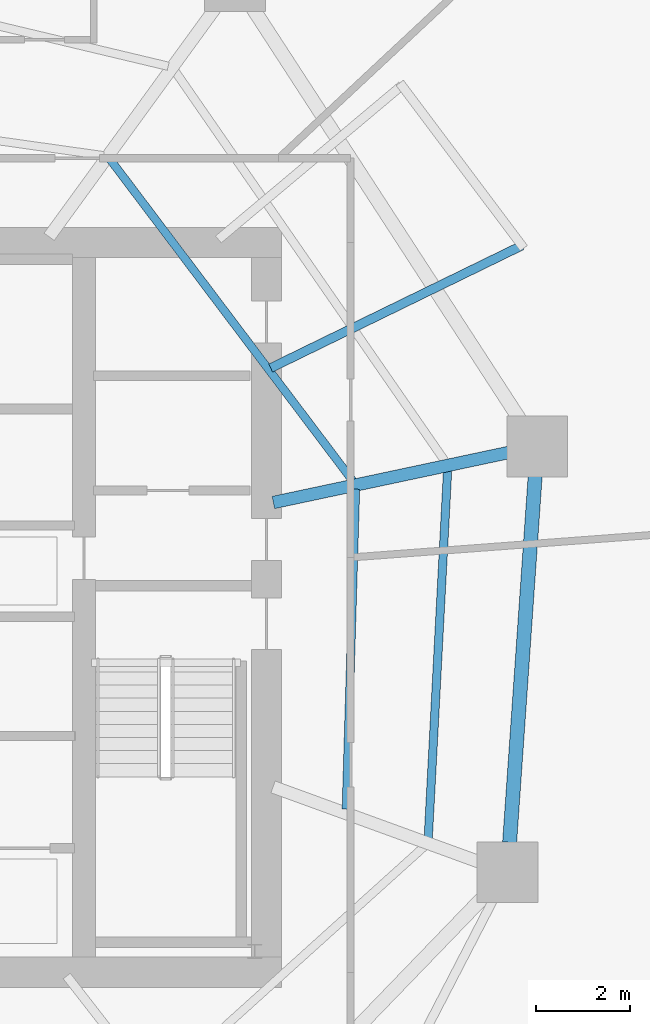
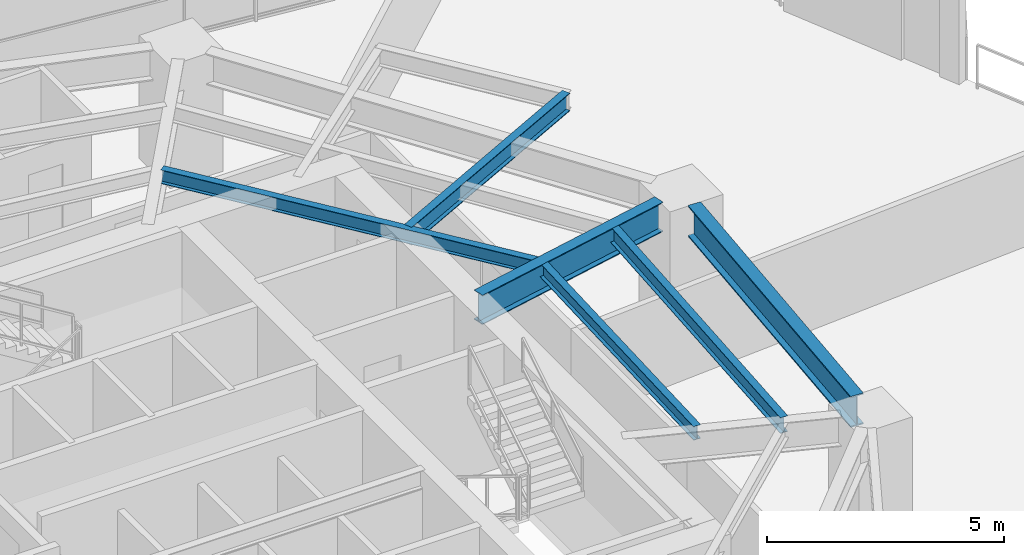
# One storey, part 12 of 28: 6 beams.
"""IFC4 building model written with IfcOpenShell, lengths in metres."""

from ifc_helpers import new_model, si_unit, direction, frame, origin, origin_2d, place, context, subcontext, project, spatial, i_section, extrude, material, material_profile, profile_set, type_object, element, save


model = new_model("IFC4")

# Units and contexts
model_context = context("Model", 3, precision=1e-05, world=origin(), true_north=direction((0.0, 1.0)))
body_context = subcontext(model_context, "Body", "Model", "MODEL_VIEW")
ifc_project = project(units=[si_unit("LENGTHUNIT", "METRE"), si_unit("AREAUNIT", "SQUARE_METRE"), si_unit("VOLUMEUNIT", "CUBIC_METRE"), si_unit("PLANEANGLEUNIT", "RADIAN"), si_unit("MASSUNIT", "GRAM", prefix="KILO")], contexts=[model_context])

# Site, building, storey
site_placement = place(None, origin())
site = spatial("IfcSite", under=ifc_project, at=site_placement, CompositionType="ELEMENT")
building_placement = place(site_placement, origin())
building = spatial("IfcBuilding", under=site, at=building_placement, Name="Qarnah Convention Tower", CompositionType="ELEMENT")
storey_placement = place(building_placement, frame((0.0, 0.0, 44.25)))
storey = spatial("IfcBuildingStorey", under=building, at=storey_placement, Name="L10", CompositionType="ELEMENT", Elevation=44.25)

# Beams
ifc_material = material(Name="Structural steel S355JR", Category="steel")
ifc_material_profile_1 = material_profile(ifc_material, i_section(OverallWidth=0.19189453125, OverallDepth=0.464111328125, WebThickness=0.010986328125, FlangeThickness=0.01806640625, at=origin_2d()), Name="W460X89")
ifc_profile_set_1 = profile_set([ifc_material_profile_1], Name="Structural steel S355JR")
beam_type_1 = type_object("IfcBeamType", Name="BM-CANT-W460A", PredefinedType="BEAM", material=ifc_profile_set_1)
beam_1_placement = place(storey_placement, frame((47.68994140625, 31.51611328125, 2.93798828125), z_axis=(0.898845814475, 0.438264990388, 0.0), x_axis=(-0.438264990388, 0.898845814475, 0.0)))
element("IfcBeam", 1, at=beam_1_placement, inside=storey, type_object=beam_type_1, Name="L10 beam BM-L10-CNT-01-1", PredefinedType="BEAM", context=body_context, shape_type="SweptSolid", body=[
    extrude(i_section(OverallWidth=0.19189453125, OverallDepth=0.464111328125, WebThickness=0.010986328125, FlangeThickness=0.01806640625, at=origin_2d()), origin(), (0.0, 0.0, 1.0), 5.973388671875),
])
ifc_material_profile_2 = material_profile(ifc_material, i_section(OverallWidth=0.172119140625, OverallDepth=0.35595703125, WebThickness=0.007080078125, FlangeThickness=0.011962890625, at=origin_2d()), Name="W360X51")
ifc_profile_set_2 = profile_set([ifc_material_profile_2], Name="Structural steel S355JR")
beam_type_2 = type_object("IfcBeamType", Name="BM-JST-W360", PredefinedType="JOIST", material=ifc_profile_set_2)
beam_2_placement = place(storey_placement, frame((49.4560546875, 29.089111328125, 2.991943359375), z_axis=(-0.602443320638, 0.798161666217, 0.0), x_axis=(-0.798161666217, -0.602443320638, 0.0)))
element("IfcBeam", 2, at=beam_2_placement, inside=storey, type_object=beam_type_2, Name="L10 joist BM-L10-IJST-01", PredefinedType="JOIST", context=body_context, shape_type="SweptSolid", body=[
    extrude(i_section(OverallWidth=0.172119140625, OverallDepth=0.35595703125, WebThickness=0.007080078125, FlangeThickness=0.011962890625, at=origin_2d()), origin(), (0.0, 0.0, 1.0), 8.623291015625),
])
beam_3_placement = place(storey_placement, frame((49.302978515625, 22.0859375, 2.991943359375), z_axis=(0.029821497478, 0.999555240238, 0.0), x_axis=(-0.999555240238, 0.029821497478, 0.0)))
element("IfcBeam", 3, at=beam_3_placement, inside=storey, type_object=beam_type_2, Name="L10 joist BM-L10-IJST-09", PredefinedType="JOIST", context=body_context, shape_type="SweptSolid", body=[
    extrude(i_section(OverallWidth=0.172119140625, OverallDepth=0.35595703125, WebThickness=0.007080078125, FlangeThickness=0.011962890625, at=origin_2d()), origin(), (0.0, 0.0, 1.0), 6.843994140625),
])
ifc_material_profile_3 = material_profile(ifc_material, i_section(OverallWidth=0.177978515625, OverallDepth=0.407958984375, WebThickness=0.008056640625, FlangeThickness=0.012939453125, at=origin_2d()), Name="W410X60")
ifc_profile_set_3 = profile_set([ifc_material_profile_3], Name="Structural steel S355JR")
beam_type_3 = type_object("IfcBeamType", Name="BM-JST-W410", PredefinedType="JOIST", material=ifc_profile_set_3)
beam_4_placement = place(storey_placement, frame((51.056884765625, 21.448974609375, 2.966064453125), z_axis=(0.052613933491, 0.998614927789, 0.0), x_axis=(-0.998614927789, 0.052613933491, 0.0)))
element("IfcBeam", 4, at=beam_4_placement, inside=storey, type_object=beam_type_3, Name="L10 joist BM-L10-SJST-09", PredefinedType="JOIST", context=body_context, shape_type="SweptSolid", body=[
    extrude(i_section(OverallWidth=0.177978515625, OverallDepth=0.407958984375, WebThickness=0.008056640625, FlangeThickness=0.012939453125, at=origin_2d()), origin(), (0.0, 0.0, 1.0), 7.906982421875),
])
ifc_material_profile_4 = material_profile(ifc_material, i_section(OverallWidth=0.26806640625, OverallDepth=0.760009765625, WebThickness=0.014892578125, FlangeThickness=0.02197265625, at=origin_2d()), Name="W760X185")
ifc_profile_set_4 = profile_set([ifc_material_profile_4], Name="Structural steel S355JR")
beam_type_4 = type_object("IfcBeamType", Name="BM-RAD-W760", PredefinedType="BEAM", material=ifc_profile_set_4)
beam_5_placement = place(storey_placement, frame((47.7470703125, 28.64208984375, 2.7900390625), z_axis=(0.978155710431, 0.207873534031, 0.0), x_axis=(-0.207873534031, 0.978155710431, 0.0)))
element("IfcBeam", 5, at=beam_5_placement, inside=storey, type_object=beam_type_4, Name="L10 beam BM-L10-RAD-01", PredefinedType="BEAM", context=body_context, shape_type="SweptSolid", body=[
    extrude(i_section(OverallWidth=0.26806640625, OverallDepth=0.760009765625, WebThickness=0.014892578125, FlangeThickness=0.02197265625, at=origin_2d()), origin(), (0.0, 0.0, 1.0), 5.13720703125),
])
ifc_material_profile_5 = material_profile(ifc_material, i_section(OverallWidth=0.300048828125, OverallDepth=0.800048828125, WebThickness=0.01806640625, FlangeThickness=0.032958984375, at=origin_2d()), Name="HEB800")
ifc_profile_set_5 = profile_set([ifc_material_profile_5], Name="Structural steel S355JR")
beam_type_5 = type_object("IfcBeamType", Name="BM-RING-HEB800", PredefinedType="BEAM", material=ifc_profile_set_5)
beam_6_placement = place(storey_placement, frame((52.797119140625, 21.3779296875, 2.77001953125), z_axis=(0.069594661237, 0.997575352105, 0.0), x_axis=(-0.997575352105, 0.069594661237, 0.0)))
element("IfcBeam", 6, at=beam_6_placement, inside=storey, type_object=beam_type_5, Name="L10 beam BM-L10-SPN-09", PredefinedType="BEAM", context=body_context, shape_type="SweptSolid", body=[
    extrude(i_section(OverallWidth=0.300048828125, OverallDepth=0.800048828125, WebThickness=0.01806640625, FlangeThickness=0.032958984375, at=origin_2d()), origin(), (0.0, 0.0, 1.0), 7.843994140625),
])

save(model, "model.ifc")
